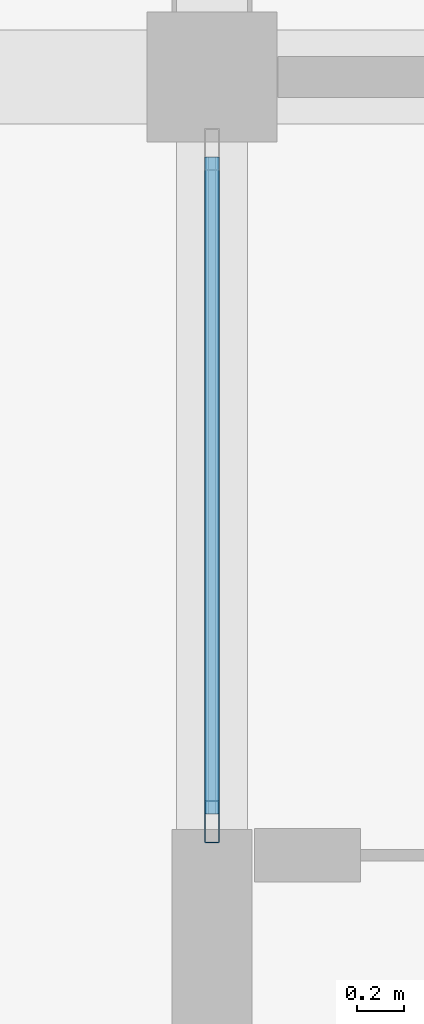
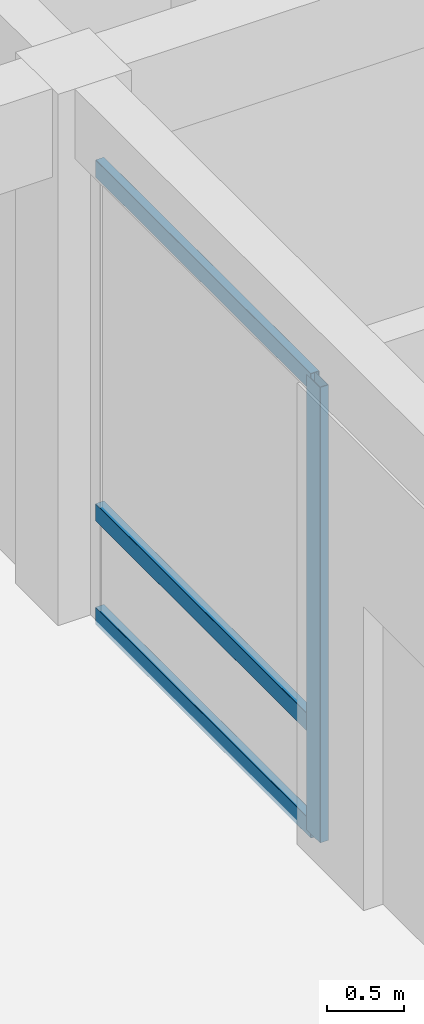
# One storey, part 34 of 75: 4 members, 1 element without a shape of its own.
"""IFC4 building model written with IfcOpenShell, lengths in metres."""

from ifc_helpers import new_model, si_unit, direction, frame, origin, origin_2d, place, context, subcontext, project, spatial, hollow_rectangle, extrude, material, material_profile, profile_set, type_object, element, aggregate, save


model = new_model("IFC4")

# Units and contexts
model_context = context("Model", 3, precision=1e-05, world=origin(), true_north=direction((0.0, 1.0)))
body_context = subcontext(model_context, "Body", "Model", "MODEL_VIEW")
ifc_project = project(units=[si_unit("LENGTHUNIT", "METRE"), si_unit("AREAUNIT", "SQUARE_METRE"), si_unit("VOLUMEUNIT", "CUBIC_METRE"), si_unit("PLANEANGLEUNIT", "RADIAN"), si_unit("MASSUNIT", "GRAM", prefix="KILO")], contexts=[model_context])

# Site, building, storey
site_placement = place(None, origin())
site = spatial("IfcSite", under=ifc_project, at=site_placement, CompositionType="ELEMENT")
building_placement = place(site_placement, origin())
building = spatial("IfcBuilding", under=site, at=building_placement, Name="Kernevlak Ridge Housing Community", CompositionType="ELEMENT")
storey_placement = place(building_placement, origin())
storey = spatial("IfcBuildingStorey", under=building, at=storey_placement, Name="L00", CompositionType="ELEMENT", Elevation=0.0)

# Curtain wall, members
ifc_material_1 = material(Name="Aluminium EN AW-6060 anodised and laminated glass", Category="aluminium")
curtain_wall_type = type_object("IfcCurtainWallType", Name="CW-10", PredefinedType="NOTDEFINED", material=ifc_material_1)
curtain_wall_placement = place(storey_placement, origin())
curtain_wall = element("IfcCurtainWall", 1, at=curtain_wall_placement, inside=storey, type_object=curtain_wall_type, Name="Curtain wall CW-10 CW-L00-056", PredefinedType="NOTDEFINED")
ifc_material_2 = material(Name="Aluminium EN AW-6060 anodised", Category="aluminium")
ifc_material_profile_1 = material_profile(ifc_material_2, hollow_rectangle(XDim=0.06494140625, YDim=0.179931640625, WallThickness=0.00439453125, InnerFilletRadius=0.001953125, OuterFilletRadius=0.00439453125, at=origin_2d()), Name="ALU 65x180x4.5")
ifc_profile_set_1 = profile_set([ifc_material_profile_1], Name="Aluminium EN AW-6060 anodised")
member_type_1 = type_object("IfcMemberType", Name="MU-03", PredefinedType="MULLION", material=ifc_profile_set_1)
member_1_placement = place(storey_placement, frame((119.39990234375, 92.642578125, 0.0), z_axis=(0.0, 0.0, 1.0), x_axis=(-1.0, 0.0, 0.0)))
member_1 = element("IfcMember", 2, at=member_1_placement, type_object=member_type_1, Name="CW-10 mullion 1", PredefinedType="MULLION", context=body_context, shape_type="SweptSolid", body=[
    extrude(hollow_rectangle(XDim=0.06494140625, YDim=0.179931640625, WallThickness=0.00439453125, InnerFilletRadius=0.001953125, OuterFilletRadius=0.00439453125, at=origin_2d()), origin(), (0.0, 0.0, 1.0), 3.60009765625),
])
ifc_material_profile_2 = material_profile(ifc_material_2, hollow_rectangle(XDim=0.06494140625, YDim=0.139892578125, WallThickness=0.00390625, InnerFilletRadius=0.001953125, OuterFilletRadius=0.00390625, at=origin_2d()), Name="ALU 65x140x4")
ifc_profile_set_2 = profile_set([ifc_material_profile_2], Name="Aluminium EN AW-6060 anodised")
member_type_2 = type_object("IfcMemberType", Name="TM-03", PredefinedType="USERDEFINED", material=ifc_profile_set_2)
member_2_placement = place(storey_placement, frame((119.39990234375, 92.675048828125, 0.032470703125), z_axis=(0.0, 1.0, 0.0), x_axis=(-1.0, 0.0, 0.0)))
member_2 = element("IfcMember", 3, at=member_2_placement, type_object=member_type_2, Name="CW-10 transom 1.1", ObjectType="TRANSOM", PredefinedType="USERDEFINED", context=body_context, shape_type="SweptSolid", body=[
    extrude(hollow_rectangle(XDim=0.06494140625, YDim=0.139892578125, WallThickness=0.00390625, InnerFilletRadius=0.001953125, OuterFilletRadius=0.00390625, at=origin_2d()), origin(), (0.0, 0.0, 1.0), 2.784912109375),
])
member_3_placement = place(storey_placement, frame((119.39990234375, 92.675048828125, 0.85009765625), z_axis=(0.0, 1.0, 0.0), x_axis=(-1.0, 0.0, 0.0)))
member_3 = element("IfcMember", 4, at=member_3_placement, type_object=member_type_2, Name="CW-10 transom 1.2", ObjectType="TRANSOM", PredefinedType="USERDEFINED", context=body_context, shape_type="SweptSolid", body=[
    extrude(hollow_rectangle(XDim=0.06494140625, YDim=0.139892578125, WallThickness=0.00390625, InnerFilletRadius=0.001953125, OuterFilletRadius=0.00390625, at=origin_2d()), origin(), (0.0, 0.0, 1.0), 2.784912109375),
])
member_4_placement = place(storey_placement, frame((119.39990234375, 92.675048828125, 3.5673828125), z_axis=(0.0, 1.0, 0.0), x_axis=(-1.0, 0.0, 0.0)))
member_4 = element("IfcMember", 5, at=member_4_placement, type_object=member_type_2, Name="CW-10 transom 1.3", ObjectType="TRANSOM", PredefinedType="USERDEFINED", context=body_context, shape_type="SweptSolid", body=[
    extrude(hollow_rectangle(XDim=0.06494140625, YDim=0.139892578125, WallThickness=0.00390625, InnerFilletRadius=0.001953125, OuterFilletRadius=0.00390625, at=origin_2d()), origin(), (0.0, 0.0, 1.0), 2.784912109375),
])
aggregate(curtain_wall, [member_1, member_2, member_3, member_4])

save(model, "model.ifc")
